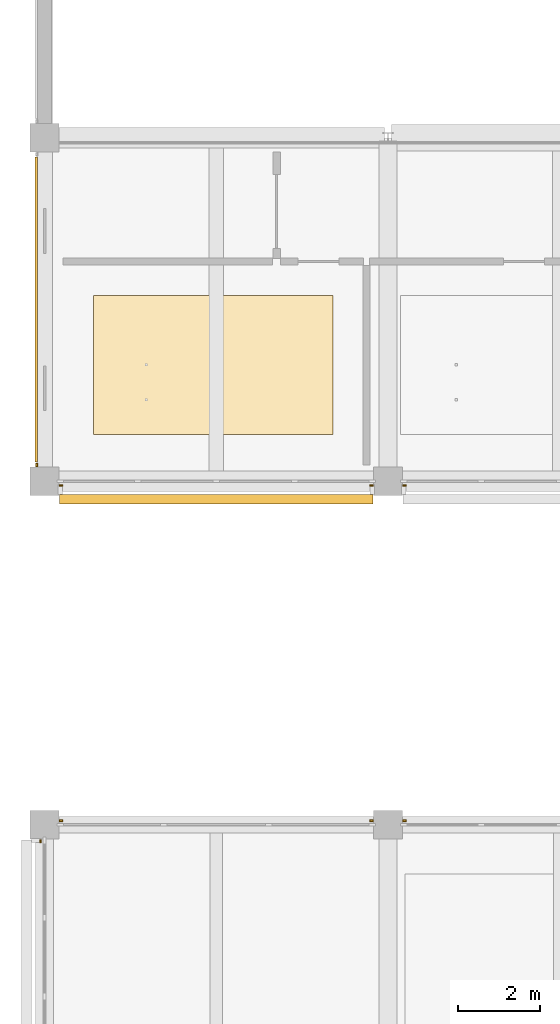
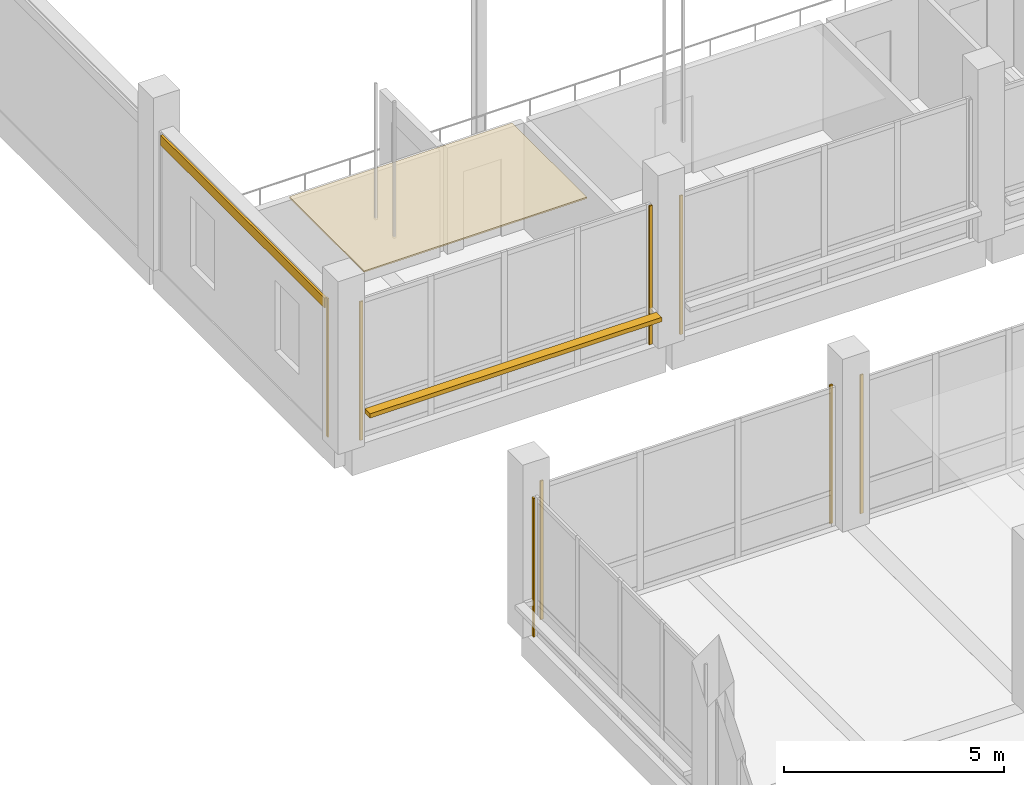
# One storey, part 117 of 128: 10 coverings, 1 shading device.
"""IFC4 building model written with IfcOpenShell, lengths in metres."""

import ifcopenshell
import ifcopenshell.guid

model = None  # the IFC model being written
_history = None  # IfcOwnerHistory: only IFC2X3 demands one
_inside = {}  # id of a spatial element -> (the spatial element, [elements in it])
_under = {}  # id of a project, library or spatial element -> (it, [spatial elements below it])
_declared = {}  # id of a project -> (the project, [libraries it declares])
_typed = {}  # id of a type object -> (the type object, [elements of that type])
_made_of = {}  # id of a material, layer set ... -> (it, [elements and type objects made of it])


def new_model(schema):
    """Start an empty IFC model of exactly this schema.

    Asked for "IFC4X3", IfcOpenShell would pick the latest addendum, in which some entities
    have other attributes; the version numbers below select the first issue.
    IFC2X3 requires an IfcOwnerHistory on every rooted entity: one is made here for all.
    """
    global model, _history
    if schema == "IFC4X3":
        model = ifcopenshell.file(schema_version=(4, 3, 0, 0))
    else:
        model = ifcopenshell.file(schema=schema)
    _inside.clear()
    _under.clear()
    _declared.clear()
    _typed.clear()
    _made_of.clear()
    _history = None
    if model.schema == "IFC2X3":
        org = make("IfcOrganization", Name="unknown")
        user = make(
            "IfcPersonAndOrganization",
            ThePerson=make("IfcPerson", FamilyName="unknown"),
            TheOrganization=org,
        )
        app = make(
            "IfcApplication",
            ApplicationDeveloper=org,
            Version="unknown",
            ApplicationFullName="unknown",
            ApplicationIdentifier="unknown",
        )
        _history = make(
            "IfcOwnerHistory",
            OwningUser=user,
            OwningApplication=app,
            ChangeAction="ADDED",
            CreationDate=0,
        )
    return model


def make(cls, **values):
    """One entity of the class cls with the attributes given. An attribute that is None is left unset."""
    return model.create_entity(
        cls, **{name: value for name, value in values.items() if value is not None}
    )


def rooted(cls, **values):
    """An entity with a GlobalId (a new one), such as an element, a storey or a relation."""
    return make(cls, GlobalId=ifcopenshell.guid.new(), OwnerHistory=_history, **values)


def si_unit(unit_type, name, prefix=None):
    """IfcSIUnit, for example si_unit("LENGTHUNIT", "METRE", prefix="MILLI")."""
    return make("IfcSIUnit", UnitType=unit_type, Prefix=prefix, Name=name)


def assignment(units):
    """IfcUnitAssignment: the units of a project."""
    return None if units is None else make("IfcUnitAssignment", Units=units)


def point(xyz):
    """IfcCartesianPoint."""
    return None if xyz is None else make("IfcCartesianPoint", Coordinates=xyz)


def direction(xyz):
    """IfcDirection."""
    return None if xyz is None else make("IfcDirection", DirectionRatios=xyz)


def frame(location, z_axis=None, x_axis=None):
    """IfcAxis2Placement3D, a coordinate frame: its origin and axes. An axis left out is left unset."""
    return make(
        "IfcAxis2Placement3D",
        Location=point(location),
        Axis=direction(z_axis),
        RefDirection=direction(x_axis),
    )


def frame_2d(location, x_axis=None):
    """IfcAxis2Placement2D, a coordinate frame in the plane: its origin and x axis."""
    return make(
        "IfcAxis2Placement2D", Location=point(location), RefDirection=direction(x_axis)
    )


def origin():
    """The frame at (0, 0, 0) with its axes left unset."""
    return frame((0.0, 0.0, 0.0))


def origin_2d():
    """The frame at (0, 0) in the plane with its x axis left unset."""
    return frame_2d((0.0, 0.0))


def place(relative_to, where):
    """IfcLocalPlacement: puts the frame where relative to a parent placement (None: the world)."""
    return make(
        "IfcLocalPlacement", PlacementRelTo=relative_to, RelativePlacement=where
    )


def context(
    kind, dimensions, precision=None, world=None, true_north=None, identifier=None
):
    """IfcGeometricRepresentationContext, for example the 3D "Model" context."""
    return make(
        "IfcGeometricRepresentationContext",
        ContextIdentifier=identifier,
        ContextType=kind,
        CoordinateSpaceDimension=dimensions,
        Precision=precision,
        WorldCoordinateSystem=world,
        TrueNorth=true_north,
    )


def subcontext(parent, identifier, kind, view, scale=None):
    """IfcGeometricRepresentationSubContext, for example "Body" below "Model"."""
    return make(
        "IfcGeometricRepresentationSubContext",
        ContextIdentifier=identifier,
        ContextType=kind,
        ParentContext=parent,
        TargetScale=scale,
        TargetView=view,
    )


def project(units=None, contexts=None):
    """IfcProject with its units and contexts."""
    return rooted(
        "IfcProject",
        Name="project",
        RepresentationContexts=contexts,
        UnitsInContext=assignment(units),
    )


def spatial(cls, under=None, at=None, **own):
    """A site, building, storey or space (cls), placed at a placement, below another one or the project."""
    s = rooted(cls, ObjectPlacement=at, **own)
    if under is not None:
        _under.setdefault(under.id(), (under, []))[1].append(s)
    return s


def polyline(points):
    """IfcPolyline through the points."""
    return make("IfcPolyline", Points=[point(p) for p in points])


def profile(cls, at=None, kind="AREA", **sizes):
    """A parametric profile (cls). Its sizes go by their IFC names, for example OverallWidth=200.0."""
    return make(cls, ProfileType=kind, Position=at, **sizes)


def rectangle(**sizes):
    """IfcRectangleProfileDef."""
    return profile("IfcRectangleProfileDef", **sizes)


def outline(outer, holes=None, kind="AREA"):
    """IfcArbitraryClosedProfileDef: a profile drawn as a closed curve; with holes, ...WithVoids."""
    if holes is None:
        return make("IfcArbitraryClosedProfileDef", ProfileType=kind, OuterCurve=outer)
    return make(
        "IfcArbitraryProfileDefWithVoids",
        ProfileType=kind,
        OuterCurve=outer,
        InnerCurves=holes,
    )


def extrude(swept, where, along, depth):
    """IfcExtrudedAreaSolid: the profile swept, set in the frame where, extruded along a direction by depth."""
    return make(
        "IfcExtrudedAreaSolid",
        SweptArea=swept,
        Position=where,
        ExtrudedDirection=direction(along),
        Depth=depth,
    )


def shape(context_of_items, identifier, shape_type, items):
    """IfcShapeRepresentation: the items that make up one representation, for example the "Body"."""
    return make(
        "IfcShapeRepresentation",
        ContextOfItems=context_of_items,
        RepresentationIdentifier=identifier,
        RepresentationType=shape_type,
        Items=items,
    )


def material(Name=None, Category=None):
    """IfcMaterial."""
    return make("IfcMaterial", Name=Name, Category=Category)


def layer(
    of_material, thickness, ventilated=None, Name=None, Category=None, Priority=None
):
    """IfcMaterialLayer: one layer of a wall or slab, of a material (None: an air gap)."""
    return make(
        "IfcMaterialLayer",
        Material=of_material,
        LayerThickness=thickness,
        IsVentilated=ventilated,
        Name=Name,
        Category=Category,
        Priority=Priority,
    )


def layer_set(layers, Name=None):
    """IfcMaterialLayerSet."""
    return make("IfcMaterialLayerSet", MaterialLayers=layers, LayerSetName=Name)


def made_of(thing, what):
    """Note that an element or type object is made of a material, layer set ...; save() writes the relation."""
    if what is not None:
        _made_of.setdefault(what.id(), (what, []))[1].append(thing)
    return thing


def type_object(cls, material=None, **own):
    """A type object (cls), such as IfcWallType, which elements share."""
    return made_of(rooted(cls, **own), material)


def element(
    cls,
    number,
    at=None,
    inside=None,
    cuts=None,
    type_object=None,
    material=None,
    context=None,
    identifier="Body",
    shape_type=None,
    held_by="IfcProductDefinitionShape",
    body=None,
    shapes=None,
    **own,
):
    """One element of the class cls, such as IfcWall. Its Tag is "e" and its number.

    at: its placement. inside: the storey or other place that contains it. cuts: it is an
    opening in that element (IfcRelVoidsElement). A single representation is given by context,
    identifier, shape_type and body (its items); several are given by shapes. held_by: the class
    of the entity that holds the representations. save() writes the other relations.
    """
    e = rooted(cls, Tag="e%d" % number, ObjectPlacement=at, **own)
    if body is not None:
        shapes = [shape(context, identifier, shape_type, body)]
    if shapes is not None:
        e.Representation = make(held_by, Representations=shapes)
    if inside is not None:
        _inside.setdefault(inside.id(), (inside, []))[1].append(e)
    if cuts is not None:
        rooted(
            "IfcRelVoidsElement", RelatingBuildingElement=cuts, RelatedOpeningElement=e
        )
    if type_object is not None:
        _typed.setdefault(type_object.id(), (type_object, []))[1].append(e)
    return made_of(e, material)


def aggregate(whole, parts):
    """IfcRelAggregates: a whole, such as a stair, and the parts it consists of."""
    return rooted("IfcRelAggregates", RelatingObject=whole, RelatedObjects=parts)


def save(model, path):
    """Write the relations noted so far, then the file.

    IfcRelAggregates (storeys below a building ...), IfcRelContainedInSpatialStructure (elements
    in a storey), IfcRelDefinesByType, IfcRelAssociatesMaterial and IfcRelDeclares: one each for
    every whole, place, type object, material and project.
    """
    for whole, parts in _under.values():
        aggregate(whole, parts)
    for where, things in _inside.values():
        rooted(
            "IfcRelContainedInSpatialStructure",
            RelatedElements=things,
            RelatingStructure=where,
        )
    for kind, things in _typed.values():
        rooted("IfcRelDefinesByType", RelatedObjects=things, RelatingType=kind)
    for what, things in _made_of.values():
        rooted("IfcRelAssociatesMaterial", RelatedObjects=things, RelatingMaterial=what)
    for by, libraries in _declared.values():
        rooted("IfcRelDeclares", RelatingContext=by, RelatedDefinitions=libraries)
    model.write(path)


model = new_model("IFC4")

# Units and contexts
model_context = context("Model", 3, precision=1e-05, world=origin(), true_north=direction((0.0, 1.0)))
body_context = subcontext(model_context, "Body", "Model", "MODEL_VIEW")
ifc_project = project(units=[si_unit("LENGTHUNIT", "METRE"), si_unit("AREAUNIT", "SQUARE_METRE"), si_unit("VOLUMEUNIT", "CUBIC_METRE"), si_unit("PLANEANGLEUNIT", "RADIAN"), si_unit("MASSUNIT", "GRAM", prefix="KILO")], contexts=[model_context])

# Site, building, storey
site_placement = place(None, origin())
site = spatial("IfcSite", under=ifc_project, at=site_placement, CompositionType="ELEMENT")
building_placement = place(site_placement, origin())
building = spatial("IfcBuilding", under=site, at=building_placement, Name="Telukmera Botanical Conservatory", CompositionType="ELEMENT")
storey_placement = place(building_placement, frame((0.0, 0.0, 5.39990234375)))
storey = spatial("IfcBuildingStorey", under=building, at=storey_placement, Name="L01", CompositionType="ELEMENT", Elevation=5.39990234375)

# Coverings
ifc_material_1 = material(Name="Perforated gypsum acoustic ceiling")
ifc_layer_1 = layer(ifc_material_1, 0.0400390625)
ifc_layer_set_1 = layer_set([ifc_layer_1], Name="Perforated gypsum acoustic ceiling")
covering_type_1 = type_object("IfcCoveringType", Name="COV-CEIL-40", PredefinedType="CEILING", material=ifc_layer_set_1)
covering_1_placement = place(storey_placement, frame((0.0, 0.0, 3.610107421875)))
element("IfcCovering", 1, at=covering_1_placement, inside=storey, type_object=covering_type_1, Name="L01 Auditorium Projection Room Suspended Acoustic Ceiling", PredefinedType="CEILING", context=body_context, shape_type="SweptSolid", body=[
    extrude(outline(polyline([(9.60009765625, 84.35009765625), (15.449951171875, 84.35009765625), (15.449951171875, 87.75), (9.60009765625, 87.75), (9.60009765625, 84.35009765625)])), origin(), (0.0, 0.0, 1.0), 0.0400390625),
])
ifc_material_2 = material(Name="Granite-faced precast concrete C40/50", Category="masonry")
ifc_layer_2 = layer(ifc_material_2, 0.0400390625)
ifc_layer_set_2 = layer_set([ifc_layer_2], Name="Granite-faced precast concrete C40/50")
covering_type_2 = type_object("IfcCoveringType", Name="Granite Precast Column Pier Reveal Casing", PredefinedType="CLADDING", material=ifc_layer_set_2)
for number, where, z_axis, x_axis, name in (
    (2, (8.802001953125, 83.10009765625, 0.0), (0.0, 0.0, 1.0), (1.0, 0.0, 0.0), "Granite Pier Reveal V2:L01:S1 L"),
    (3, (16.39794921875, 83.10009765625, 0.0), (0.0, 0.0, 1.0), (1.0, 0.0, 0.0), "Granite Pier Reveal V2:L01:S1 R"),
    (4, (17.201904296875, 83.10009765625, 0.0), (0.0, 0.0, 1.0), (1.0, 0.0, 0.0), "Granite Pier Reveal V2:L01:S2 L"),
    (5, (8.2099609375, 83.60205078125, 0.0), (0.0, 0.0, 1.0), (0.0, 1.0, 0.0), "Granite Pier Reveal V2:L01:W1 L"),
    (6, (8.802001953125, 74.89990234375, 0.0), (0.0, 0.0, 1.0), (1.0, 0.0, 0.0), "Granite Pier Reveal V3:L01:N1 L"),
    (7, (16.39794921875, 74.89990234375, 0.0), (0.0, 0.0, 1.0), (1.0, 0.0, 0.0), "Granite Pier Reveal V3:L01:N1 R"),
    (8, (17.201904296875, 74.89990234375, 0.0), (0.0, 0.0, 1.0), (1.0, 0.0, 0.0), "Granite Pier Reveal V3:L01:N2 L"),
    (9, (8.300048828125, 74.39794921875, 0.0), (0.0, 0.0, 1.0), (0.0, 1.0, 0.0), "Granite Pier Reveal V3:L01:W7 R"),
):
    element("IfcCovering", number, at=place(storey_placement, frame(where, z_axis=z_axis, x_axis=x_axis)), inside=storey, type_object=covering_type_2, Name=name, PredefinedType="CLADDING", context=body_context, shape_type="SweptSolid", body=[
        extrude(rectangle(XDim=0.080078125, YDim=0.0400390625, at=origin_2d()), origin(), (0.0, 0.0, 1.0), 3.85009765625),
    ])

# Shading device
ifc_material_3 = material(Name="Perforated terracotta-anodised aluminium 6063-T6", Category="masonry")
ifc_layer_3 = layer(ifc_material_3, 0.044921875)
ifc_layer_set_3 = layer_set([ifc_layer_3], Name="Perforated terracotta-anodised aluminium 6063-T6")
shading_device_type = type_object("IfcShadingDeviceType", Name="Perforated Terracotta Aluminium Monsoon Brise Soleil", PredefinedType="JALOUSIE", material=ifc_layer_set_3)
shading_device_placement = place(storey_placement, frame((12.60009765625, 82.760009765625, 0.89013671875), z_axis=(0.0, 0.0, 1.0), x_axis=(1.0, 0.0, 0.0)))
element("IfcShadingDevice", 10, at=shading_device_placement, inside=storey, type_object=shading_device_type, Name="Monsoon Shading BS01 V2:L01:S1", PredefinedType="JALOUSIE", context=body_context, shape_type="SweptSolid", body=[
    extrude(rectangle(XDim=7.656005859375, YDim=0.239990234375, at=origin_2d()), origin(), (0.0, 0.0, 1.0), 0.1201171875),
])

# Covering
ifc_material_4 = material(Name="Terracotta-faced precast concrete C40/50", Category="masonry")
ifc_layer_4 = layer(ifc_material_4, 0.06005859375)
ifc_layer_set_4 = layer_set([ifc_layer_4], Name="Terracotta-faced precast concrete C40/50")
covering_type_3 = type_object("IfcCoveringType", Name="Polychrome Terracotta Facade Band Cladding", PredefinedType="CLADDING", material=ifc_layer_set_4)
covering_2_placement = place(storey_placement, frame((8.199951171875, 87.39990234375, 3.5302734375), z_axis=(0.0, 0.0, 1.0), x_axis=(0.0, 1.0, 0.0)))
element("IfcCovering", 11, at=covering_2_placement, inside=storey, type_object=covering_type_3, Name="Polychrome Terracotta Band V2:L01:W1", PredefinedType="CLADDING", context=body_context, shape_type="SweptSolid", body=[
    extrude(rectangle(XDim=7.4560546875, YDim=0.06005859375, at=origin_2d()), origin(), (0.0, 0.0, 1.0), 0.280029296875),
])

save(model, "model.ifc")
